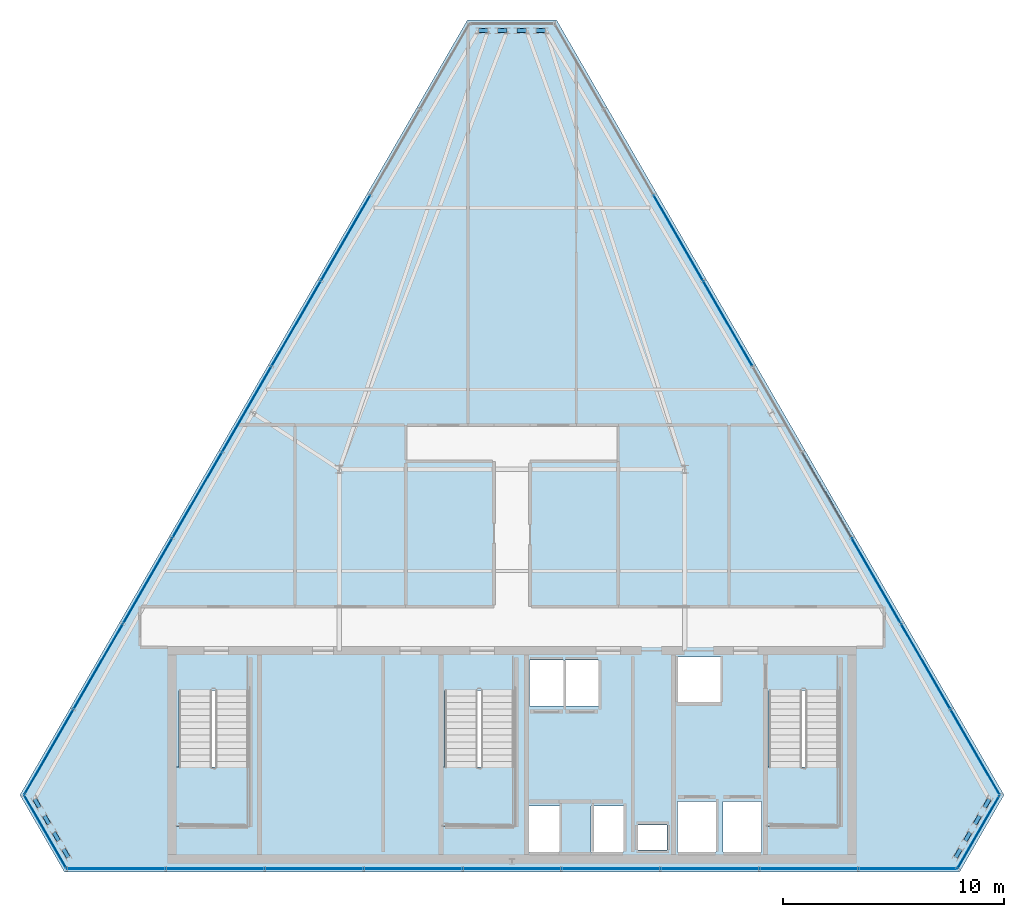
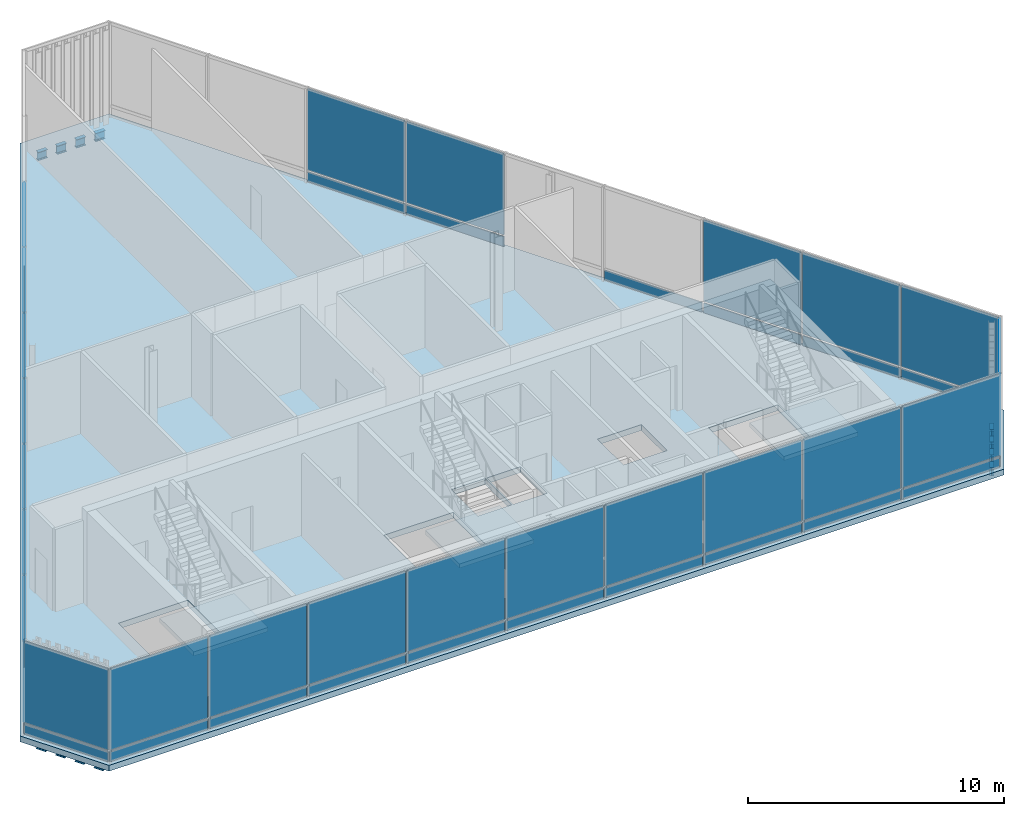
# One storey, part 19 of 25: 47 plates, 12 beams, 4 slabs, 8 elements without a shape of their own.
"""IFC4 building model written with IfcOpenShell, lengths in metres."""

import ifcopenshell
import ifcopenshell.guid

model = None  # the IFC model being written
_history = None  # IfcOwnerHistory: only IFC2X3 demands one
_inside = {}  # id of a spatial element -> (the spatial element, [elements in it])
_under = {}  # id of a project, library or spatial element -> (it, [spatial elements below it])
_declared = {}  # id of a project -> (the project, [libraries it declares])
_typed = {}  # id of a type object -> (the type object, [elements of that type])
_made_of = {}  # id of a material, layer set ... -> (it, [elements and type objects made of it])


def new_model(schema):
    """Start an empty IFC model of exactly this schema.

    Asked for "IFC4X3", IfcOpenShell would pick the latest addendum, in which some entities
    have other attributes; the version numbers below select the first issue.
    IFC2X3 requires an IfcOwnerHistory on every rooted entity: one is made here for all.
    """
    global model, _history
    if schema == "IFC4X3":
        model = ifcopenshell.file(schema_version=(4, 3, 0, 0))
    else:
        model = ifcopenshell.file(schema=schema)
    _inside.clear()
    _under.clear()
    _declared.clear()
    _typed.clear()
    _made_of.clear()
    _history = None
    if model.schema == "IFC2X3":
        org = make("IfcOrganization", Name="unknown")
        user = make(
            "IfcPersonAndOrganization",
            ThePerson=make("IfcPerson", FamilyName="unknown"),
            TheOrganization=org,
        )
        app = make(
            "IfcApplication",
            ApplicationDeveloper=org,
            Version="unknown",
            ApplicationFullName="unknown",
            ApplicationIdentifier="unknown",
        )
        _history = make(
            "IfcOwnerHistory",
            OwningUser=user,
            OwningApplication=app,
            ChangeAction="ADDED",
            CreationDate=0,
        )
    return model


def make(cls, **values):
    """One entity of the class cls with the attributes given. An attribute that is None is left unset."""
    return model.create_entity(
        cls, **{name: value for name, value in values.items() if value is not None}
    )


def rooted(cls, **values):
    """An entity with a GlobalId (a new one), such as an element, a storey or a relation."""
    return make(cls, GlobalId=ifcopenshell.guid.new(), OwnerHistory=_history, **values)


def si_unit(unit_type, name, prefix=None):
    """IfcSIUnit, for example si_unit("LENGTHUNIT", "METRE", prefix="MILLI")."""
    return make("IfcSIUnit", UnitType=unit_type, Prefix=prefix, Name=name)


def assignment(units):
    """IfcUnitAssignment: the units of a project."""
    return None if units is None else make("IfcUnitAssignment", Units=units)


def point(xyz):
    """IfcCartesianPoint."""
    return None if xyz is None else make("IfcCartesianPoint", Coordinates=xyz)


def direction(xyz):
    """IfcDirection."""
    return None if xyz is None else make("IfcDirection", DirectionRatios=xyz)


def frame(location, z_axis=None, x_axis=None):
    """IfcAxis2Placement3D, a coordinate frame: its origin and axes. An axis left out is left unset."""
    return make(
        "IfcAxis2Placement3D",
        Location=point(location),
        Axis=direction(z_axis),
        RefDirection=direction(x_axis),
    )


def frame_2d(location, x_axis=None):
    """IfcAxis2Placement2D, a coordinate frame in the plane: its origin and x axis."""
    return make(
        "IfcAxis2Placement2D", Location=point(location), RefDirection=direction(x_axis)
    )


def origin():
    """The frame at (0, 0, 0) with its axes left unset."""
    return frame((0.0, 0.0, 0.0))


def origin_2d():
    """The frame at (0, 0) in the plane with its x axis left unset."""
    return frame_2d((0.0, 0.0))


def place(relative_to, where):
    """IfcLocalPlacement: puts the frame where relative to a parent placement (None: the world)."""
    return make(
        "IfcLocalPlacement", PlacementRelTo=relative_to, RelativePlacement=where
    )


def context(
    kind, dimensions, precision=None, world=None, true_north=None, identifier=None
):
    """IfcGeometricRepresentationContext, for example the 3D "Model" context."""
    return make(
        "IfcGeometricRepresentationContext",
        ContextIdentifier=identifier,
        ContextType=kind,
        CoordinateSpaceDimension=dimensions,
        Precision=precision,
        WorldCoordinateSystem=world,
        TrueNorth=true_north,
    )


def subcontext(parent, identifier, kind, view, scale=None):
    """IfcGeometricRepresentationSubContext, for example "Body" below "Model"."""
    return make(
        "IfcGeometricRepresentationSubContext",
        ContextIdentifier=identifier,
        ContextType=kind,
        ParentContext=parent,
        TargetScale=scale,
        TargetView=view,
    )


def project(units=None, contexts=None):
    """IfcProject with its units and contexts."""
    return rooted(
        "IfcProject",
        Name="project",
        RepresentationContexts=contexts,
        UnitsInContext=assignment(units),
    )


def spatial(cls, under=None, at=None, **own):
    """A site, building, storey or space (cls), placed at a placement, below another one or the project."""
    s = rooted(cls, ObjectPlacement=at, **own)
    if under is not None:
        _under.setdefault(under.id(), (under, []))[1].append(s)
    return s


def polyline(points):
    """IfcPolyline through the points."""
    return make("IfcPolyline", Points=[point(p) for p in points])


def profile(cls, at=None, kind="AREA", **sizes):
    """A parametric profile (cls). Its sizes go by their IFC names, for example OverallWidth=200.0."""
    return make(cls, ProfileType=kind, Position=at, **sizes)


def rectangle(**sizes):
    """IfcRectangleProfileDef."""
    return profile("IfcRectangleProfileDef", **sizes)


def i_section(**sizes):
    """IfcIShapeProfileDef."""
    return profile("IfcIShapeProfileDef", **sizes)


def outline(outer, holes=None, kind="AREA"):
    """IfcArbitraryClosedProfileDef: a profile drawn as a closed curve; with holes, ...WithVoids."""
    if holes is None:
        return make("IfcArbitraryClosedProfileDef", ProfileType=kind, OuterCurve=outer)
    return make(
        "IfcArbitraryProfileDefWithVoids",
        ProfileType=kind,
        OuterCurve=outer,
        InnerCurves=holes,
    )


def extrude(swept, where, along, depth):
    """IfcExtrudedAreaSolid: the profile swept, set in the frame where, extruded along a direction by depth."""
    return make(
        "IfcExtrudedAreaSolid",
        SweptArea=swept,
        Position=where,
        ExtrudedDirection=direction(along),
        Depth=depth,
    )


def shape(context_of_items, identifier, shape_type, items):
    """IfcShapeRepresentation: the items that make up one representation, for example the "Body"."""
    return make(
        "IfcShapeRepresentation",
        ContextOfItems=context_of_items,
        RepresentationIdentifier=identifier,
        RepresentationType=shape_type,
        Items=items,
    )


def material(Name=None, Category=None):
    """IfcMaterial."""
    return make("IfcMaterial", Name=Name, Category=Category)


def layer(
    of_material, thickness, ventilated=None, Name=None, Category=None, Priority=None
):
    """IfcMaterialLayer: one layer of a wall or slab, of a material (None: an air gap)."""
    return make(
        "IfcMaterialLayer",
        Material=of_material,
        LayerThickness=thickness,
        IsVentilated=ventilated,
        Name=Name,
        Category=Category,
        Priority=Priority,
    )


def layer_set(layers, Name=None):
    """IfcMaterialLayerSet."""
    return make("IfcMaterialLayerSet", MaterialLayers=layers, LayerSetName=Name)


def material_profile(
    of_material, cross_section, Name=None, Category=None, Priority=None
):
    """IfcMaterialProfile: a cross section and its material."""
    return make(
        "IfcMaterialProfile",
        Name=Name,
        Material=of_material,
        Profile=cross_section,
        Priority=Priority,
        Category=Category,
    )


def profile_set(profiles, Name=None, composite=None):
    """IfcMaterialProfileSet."""
    return make(
        "IfcMaterialProfileSet",
        Name=Name,
        MaterialProfiles=profiles,
        CompositeProfile=composite,
    )


def made_of(thing, what):
    """Note that an element or type object is made of a material, layer set ...; save() writes the relation."""
    if what is not None:
        _made_of.setdefault(what.id(), (what, []))[1].append(thing)
    return thing


def type_object(cls, material=None, **own):
    """A type object (cls), such as IfcWallType, which elements share."""
    return made_of(rooted(cls, **own), material)


def element(
    cls,
    number,
    at=None,
    inside=None,
    cuts=None,
    type_object=None,
    material=None,
    context=None,
    identifier="Body",
    shape_type=None,
    held_by="IfcProductDefinitionShape",
    body=None,
    shapes=None,
    **own,
):
    """One element of the class cls, such as IfcWall. Its Tag is "e" and its number.

    at: its placement. inside: the storey or other place that contains it. cuts: it is an
    opening in that element (IfcRelVoidsElement). A single representation is given by context,
    identifier, shape_type and body (its items); several are given by shapes. held_by: the class
    of the entity that holds the representations. save() writes the other relations.
    """
    e = rooted(cls, Tag="e%d" % number, ObjectPlacement=at, **own)
    if body is not None:
        shapes = [shape(context, identifier, shape_type, body)]
    if shapes is not None:
        e.Representation = make(held_by, Representations=shapes)
    if inside is not None:
        _inside.setdefault(inside.id(), (inside, []))[1].append(e)
    if cuts is not None:
        rooted(
            "IfcRelVoidsElement", RelatingBuildingElement=cuts, RelatedOpeningElement=e
        )
    if type_object is not None:
        _typed.setdefault(type_object.id(), (type_object, []))[1].append(e)
    return made_of(e, material)


def aggregate(whole, parts):
    """IfcRelAggregates: a whole, such as a stair, and the parts it consists of."""
    return rooted("IfcRelAggregates", RelatingObject=whole, RelatedObjects=parts)


def save(model, path):
    """Write the relations noted so far, then the file.

    IfcRelAggregates (storeys below a building ...), IfcRelContainedInSpatialStructure (elements
    in a storey), IfcRelDefinesByType, IfcRelAssociatesMaterial and IfcRelDeclares: one each for
    every whole, place, type object, material and project.
    """
    for whole, parts in _under.values():
        aggregate(whole, parts)
    for where, things in _inside.values():
        rooted(
            "IfcRelContainedInSpatialStructure",
            RelatedElements=things,
            RelatingStructure=where,
        )
    for kind, things in _typed.values():
        rooted("IfcRelDefinesByType", RelatedObjects=things, RelatingType=kind)
    for what, things in _made_of.values():
        rooted("IfcRelAssociatesMaterial", RelatedObjects=things, RelatingMaterial=what)
    for by, libraries in _declared.values():
        rooted("IfcRelDeclares", RelatingContext=by, RelatedDefinitions=libraries)
    model.write(path)


model = new_model("IFC4")

# Units and contexts
model_context = context("Model", 3, precision=1e-05, world=origin(), true_north=direction((0.0, 1.0)))
body_context = subcontext(model_context, "Body", "Model", "MODEL_VIEW")
ifc_project = project(units=[si_unit("LENGTHUNIT", "METRE"), si_unit("AREAUNIT", "SQUARE_METRE"), si_unit("VOLUMEUNIT", "CUBIC_METRE"), si_unit("PLANEANGLEUNIT", "RADIAN"), si_unit("MASSUNIT", "GRAM", prefix="KILO")], contexts=[model_context])

# Site, building, storey
site_placement = place(None, origin())
site = spatial("IfcSite", under=ifc_project, at=site_placement, CompositionType="ELEMENT")
building_placement = place(site_placement, origin())
building = spatial("IfcBuilding", under=site, at=building_placement, Name="Ndaravel Arena Tower", CompositionType="ELEMENT")
storey_placement = place(building_placement, frame((0.0, 0.0, 298.5)))
storey = spatial("IfcBuildingStorey", under=building, at=storey_placement, Name="L73", CompositionType="ELEMENT", Elevation=298.5)

# Beams
ifc_material_1 = material(Name="Steel S355", Category="steel")
ifc_material_profile = material_profile(ifc_material_1, i_section(OverallWidth=0.179931640625, OverallDepth=0.39990234375, WebThickness=0.008544921875, FlangeThickness=0.013427734375, FilletRadius=0.02099609375, at=origin_2d()), Name="IPE 400")
ifc_profile_set = profile_set([ifc_material_profile], Name="Steel S355")
beam_type = type_object("IfcBeamType", Name="BM-SPAN-IPE400", PredefinedType="SPANDREL", material=ifc_profile_set)
for number, where, z_axis, x_axis, name in (
    (1, (62.038818359375, 5.667724609375, -0.47998046875), (0.499771175029, 0.866157475642, 0.0), (-0.866157475642, 0.499771175029, 0.0), "L73 Perimeter Spandrel Beam SP-02"),
    (2, (62.472412109375, 6.419189453125, -0.47998046875), (0.500193229689, 0.865913813825, 0.0), (-0.865913813825, 0.500193229689, 0.0), "L73 Perimeter Spandrel Beam SP-04"),
    (3, (62.90625, 7.17041015625, -0.47998046875), (0.499771175029, 0.866157475642, 0.0), (-0.866157475642, 0.499771175029, 0.0), "L73 Perimeter Spandrel Beam SP-06"),
    (4, (63.340087890625, 7.921630859375, -0.47998046875), (0.499771175029, 0.866157475642, 0.0), (-0.866157475642, 0.499771175029, 0.0), "L73 Perimeter Spandrel Beam SP-08"),
    (5, (43.518310546875, 43.00537109375, -0.47998046875), (-1.0, 0.0, 0.0), (0.0, -1.0, 0.0), "L73 Perimeter Spandrel Beam SP-11"),
    (6, (42.650634765625, 43.00537109375, -0.47998046875), (-1.0, 0.0, 0.0), (0.0, -1.0, 0.0), "L73 Perimeter Spandrel Beam SP-13"),
    (7, (41.783203125, 43.00537109375, -0.47998046875), (-1.0, 0.0, 0.0), (0.0, -1.0, 0.0), "L73 Perimeter Spandrel Beam SP-15"),
    (8, (40.91552734375, 43.00537109375, -0.47998046875), (-1.0, 0.0, 0.0), (0.0, -1.0, 0.0), "L73 Perimeter Spandrel Beam SP-17"),
    (9, (20.443115234375, 8.29736328125, -0.47998046875), (0.499771175029, -0.866157475642, 0.0), (0.866157475642, 0.499771175029, 0.0), "L73 Perimeter Spandrel Beam SP-20"),
    (10, (20.876953125, 7.546142578125, -0.47998046875), (0.499771175029, -0.866157475642, 0.0), (0.866157475642, 0.499771175029, 0.0), "L73 Perimeter Spandrel Beam SP-22"),
    (11, (21.310546875, 6.794921875, -0.47998046875), (0.500193229689, -0.865913813825, 0.0), (0.865913813825, 0.500193229689, 0.0), "L73 Perimeter Spandrel Beam SP-24"),
    (12, (21.744384765625, 6.04345703125, -0.47998046875), (0.499771175029, -0.866157475642, 0.0), (0.866157475642, 0.499771175029, 0.0), "L73 Perimeter Spandrel Beam SP-26"),
):
    element("IfcBeam", number, at=place(storey_placement, frame(where, z_axis=z_axis, x_axis=x_axis)), inside=storey, type_object=beam_type, Name=name, PredefinedType="SPANDREL", context=body_context, shape_type="SweptSolid", body=[
        extrude(i_section(OverallWidth=0.179931640625, OverallDepth=0.39990234375, WebThickness=0.008544921875, FlangeThickness=0.013427734375, FilletRadius=0.02099609375, at=origin_2d()), origin(), (0.0, 0.0, 1.0), 0.433837890625),
    ])

# Curtain wall, plates
ifc_material_2 = material(Name="Aluminium", Category="aluminium")
ifc_layer_1 = layer(ifc_material_2, 0.179931640625)
ifc_layer_set_1 = layer_set([ifc_layer_1], Name="Aluminium")
curtain_wall_type = type_object("IfcCurtainWallType", Name="CW-SYS-04", PredefinedType="NOTDEFINED", material=ifc_layer_set_1)
curtain_wall_1_placement = place(storey_placement, origin())
curtain_wall_1 = element("IfcCurtainWall", 13, at=curtain_wall_1_placement, inside=storey, type_object=curtain_wall_type, Name="L73 Faceted Crystal Curtain Wall CW-L73-E01", PredefinedType="NOTDEFINED")
ifc_material_3 = material(Name="Glazing", Category="glass")
ifc_layer_2 = layer(ifc_material_3, 0.0400390625)
ifc_layer_set_2 = layer_set([ifc_layer_2], Name="Glazing")
plate_type_1 = type_object("IfcPlateType", Name="PLT-GLZ-LOWIRON", PredefinedType="CURTAIN_PANEL", material=ifc_layer_set_2)
plate_1_placement = place(storey_placement, frame((24.1201171875, 5.159912109375, 0.58984375), z_axis=(0.0, 0.0, 1.0), x_axis=(1.0, 0.0, 0.0)))
plate_1 = element("IfcPlate", 14, at=plate_1_placement, type_object=plate_type_1, Name="CW-L73-E01 Vision Glass Panel 01", PredefinedType="CURTAIN_PANEL", context=body_context, shape_type="SweptSolid", body=[
    extrude(rectangle(XDim=4.389892578125, YDim=0.035888671875, at=origin_2d()), origin(), (0.0, 0.0, 1.0), 3.889892578125),
])
plate_2_placement = place(storey_placement, frame((28.590087890625, 5.159912109375, 0.58984375), z_axis=(0.0, 0.0, 1.0), x_axis=(1.0, 0.0, 0.0)))
plate_2 = element("IfcPlate", 15, at=plate_2_placement, type_object=plate_type_1, Name="CW-L73-E01 Vision Glass Panel 02", PredefinedType="CURTAIN_PANEL", context=body_context, shape_type="SweptSolid", body=[
    extrude(rectangle(XDim=4.389892578125, YDim=0.035888671875, at=origin_2d()), origin(), (0.0, 0.0, 1.0), 3.889892578125),
])
plate_3_placement = place(storey_placement, frame((33.06005859375, 5.159912109375, 0.58984375), z_axis=(0.0, 0.0, 1.0), x_axis=(1.0, 0.0, 0.0)))
plate_3 = element("IfcPlate", 16, at=plate_3_placement, type_object=plate_type_1, Name="CW-L73-E01 Vision Glass Panel 03", PredefinedType="CURTAIN_PANEL", context=body_context, shape_type="SweptSolid", body=[
    extrude(rectangle(XDim=4.389892578125, YDim=0.035888671875, at=origin_2d()), origin(), (0.0, 0.0, 1.0), 3.889892578125),
])
plate_4_placement = place(storey_placement, frame((37.530029296875, 5.159912109375, 0.58984375), z_axis=(0.0, 0.0, 1.0), x_axis=(1.0, 0.0, 0.0)))
plate_4 = element("IfcPlate", 17, at=plate_4_placement, type_object=plate_type_1, Name="CW-L73-E01 Vision Glass Panel 04", PredefinedType="CURTAIN_PANEL", context=body_context, shape_type="SweptSolid", body=[
    extrude(rectangle(XDim=4.389892578125, YDim=0.035888671875, at=origin_2d()), origin(), (0.0, 0.0, 1.0), 3.889892578125),
])
plate_5_placement = place(storey_placement, frame((42.0, 5.159912109375, 0.58984375), z_axis=(0.0, 0.0, 1.0), x_axis=(1.0, 0.0, 0.0)))
plate_5 = element("IfcPlate", 18, at=plate_5_placement, type_object=plate_type_1, Name="CW-L73-E01 Vision Glass Panel 05", PredefinedType="CURTAIN_PANEL", context=body_context, shape_type="SweptSolid", body=[
    extrude(rectangle(XDim=4.389892578125, YDim=0.035888671875, at=origin_2d()), origin(), (0.0, 0.0, 1.0), 3.889892578125),
])
plate_6_placement = place(storey_placement, frame((46.469970703125, 5.159912109375, 0.58984375), z_axis=(0.0, 0.0, 1.0), x_axis=(1.0, 0.0, 0.0)))
plate_6 = element("IfcPlate", 19, at=plate_6_placement, type_object=plate_type_1, Name="CW-L73-E01 Vision Glass Panel 06", PredefinedType="CURTAIN_PANEL", context=body_context, shape_type="SweptSolid", body=[
    extrude(rectangle(XDim=4.389892578125, YDim=0.035888671875, at=origin_2d()), origin(), (0.0, 0.0, 1.0), 3.889892578125),
])
plate_7_placement = place(storey_placement, frame((50.93994140625, 5.159912109375, 0.58984375), z_axis=(0.0, 0.0, 1.0), x_axis=(1.0, 0.0, 0.0)))
plate_7 = element("IfcPlate", 20, at=plate_7_placement, type_object=plate_type_1, Name="CW-L73-E01 Vision Glass Panel 07", PredefinedType="CURTAIN_PANEL", context=body_context, shape_type="SweptSolid", body=[
    extrude(rectangle(XDim=4.389892578125, YDim=0.035888671875, at=origin_2d()), origin(), (0.0, 0.0, 1.0), 3.889892578125),
])
plate_8_placement = place(storey_placement, frame((55.409912109375, 5.159912109375, 0.58984375), z_axis=(0.0, 0.0, 1.0), x_axis=(1.0, 0.0, 0.0)))
plate_8 = element("IfcPlate", 21, at=plate_8_placement, type_object=plate_type_1, Name="CW-L73-E01 Vision Glass Panel 08", PredefinedType="CURTAIN_PANEL", context=body_context, shape_type="SweptSolid", body=[
    extrude(rectangle(XDim=4.389892578125, YDim=0.035888671875, at=origin_2d()), origin(), (0.0, 0.0, 1.0), 3.889892578125),
])
plate_9_placement = place(storey_placement, frame((59.8798828125, 5.159912109375, 0.58984375), z_axis=(0.0, 0.0, 1.0), x_axis=(1.0, 0.0, 0.0)))
plate_9 = element("IfcPlate", 22, at=plate_9_placement, type_object=plate_type_1, Name="CW-L73-E01 Vision Glass Panel 09", PredefinedType="CURTAIN_PANEL", context=body_context, shape_type="SweptSolid", body=[
    extrude(rectangle(XDim=4.389892578125, YDim=0.035888671875, at=origin_2d()), origin(), (0.0, 0.0, 1.0), 3.889892578125),
])

# Curtain wall, plate
curtain_wall_2_placement = place(storey_placement, origin())
curtain_wall_2 = element("IfcCurtainWall", 23, at=curtain_wall_2_placement, inside=storey, type_object=curtain_wall_type, Name="L73 Faceted Crystal Curtain Wall CW-L73-E02", PredefinedType="NOTDEFINED")
plate_10_placement = place(storey_placement, frame((63.074951171875, 6.822509765625, 0.58984375), z_axis=(0.0, 0.0, 1.0), x_axis=(0.5, 0.866025403784, 0.0)))
plate_10 = element("IfcPlate", 24, at=plate_10_placement, type_object=plate_type_1, Name="CW-L73-E02 Vision Glass Panel 01", PredefinedType="CURTAIN_PANEL", context=body_context, shape_type="SweptSolid", body=[
    extrude(rectangle(XDim=3.759521484375, YDim=0.035888671875, at=origin_2d()), origin(), (0.0, 0.0, 1.0), 3.889892578125),
])

# Curtain wall, plates
curtain_wall_3_placement = place(storey_placement, origin())
curtain_wall_3 = element("IfcCurtainWall", 25, at=curtain_wall_3_placement, inside=storey, type_object=curtain_wall_type, Name="L73 Faceted Crystal Curtain Wall CW-L73-E03", PredefinedType="NOTDEFINED")
plate_11_placement = place(storey_placement, frame((62.917236328125, 10.4208984375, 0.58984375), z_axis=(0.0, 0.0, 1.0), x_axis=(-0.5, 0.866025403784, 0.0)))
plate_11 = element("IfcPlate", 26, at=plate_11_placement, type_object=plate_type_1, Name="CW-L73-E03 Vision Glass Panel 01", PredefinedType="CURTAIN_PANEL", context=body_context, shape_type="SweptSolid", body=[
    extrude(rectangle(XDim=4.389892578125, YDim=0.035888671875, at=origin_2d()), origin(), (0.0, 0.0, 1.0), 3.889892578125),
])
plate_12_placement = place(storey_placement, frame((60.682373046875, 14.2919921875, 0.58984375), z_axis=(0.0, 0.0, 1.0), x_axis=(-0.5, 0.866025403784, 0.0)))
plate_12 = element("IfcPlate", 27, at=plate_12_placement, type_object=plate_type_1, Name="CW-L73-E03 Vision Glass Panel 02", PredefinedType="CURTAIN_PANEL", context=body_context, shape_type="SweptSolid", body=[
    extrude(rectangle(XDim=4.389892578125, YDim=0.035888671875, at=origin_2d()), origin(), (0.0, 0.0, 1.0), 3.889892578125),
])
plate_13_placement = place(storey_placement, frame((58.447265625, 18.1630859375, 0.58984375), z_axis=(0.0, 0.0, 1.0), x_axis=(-0.5, 0.866025403784, 0.0)))
plate_13 = element("IfcPlate", 28, at=plate_13_placement, type_object=plate_type_1, Name="CW-L73-E03 Vision Glass Panel 03", PredefinedType="CURTAIN_PANEL", context=body_context, shape_type="SweptSolid", body=[
    extrude(rectangle(XDim=4.389892578125, YDim=0.035888671875, at=origin_2d()), origin(), (0.0, 0.0, 1.0), 3.889892578125),
])
plate_14_placement = place(storey_placement, frame((51.7421875, 29.7763671875, 0.58984375), z_axis=(0.0, 0.0, 1.0), x_axis=(-0.5, 0.866025403784, 0.0)))
plate_14 = element("IfcPlate", 29, at=plate_14_placement, type_object=plate_type_1, Name="CW-L73-E03 Vision Glass Panel 06", PredefinedType="CURTAIN_PANEL", context=body_context, shape_type="SweptSolid", body=[
    extrude(rectangle(XDim=4.389892578125, YDim=0.035888671875, at=origin_2d()), origin(), (0.0, 0.0, 1.0), 3.889892578125),
])
plate_15_placement = place(storey_placement, frame((49.50732421875, 33.647705078125, 0.58984375), z_axis=(0.0, 0.0, 1.0), x_axis=(-0.5, 0.866025403784, 0.0)))
plate_15 = element("IfcPlate", 30, at=plate_15_placement, type_object=plate_type_1, Name="CW-L73-E03 Vision Glass Panel 07", PredefinedType="CURTAIN_PANEL", context=body_context, shape_type="SweptSolid", body=[
    extrude(rectangle(XDim=4.389892578125, YDim=0.035888671875, at=origin_2d()), origin(), (0.0, 0.0, 1.0), 3.889892578125),
])

curtain_wall_4_placement = place(storey_placement, origin())
curtain_wall_4 = element("IfcCurtainWall", 31, at=curtain_wall_4_placement, inside=storey, type_object=curtain_wall_type, Name="L73 Faceted Crystal Curtain Wall CW-L73-E05", PredefinedType="NOTDEFINED")
plate_16_placement = place(storey_placement, frame((34.49267578125, 33.647705078125, 0.58984375), z_axis=(0.0, 0.0, 1.0), x_axis=(-0.5, -0.866025403784, 0.0)))
plate_16 = element("IfcPlate", 32, at=plate_16_placement, type_object=plate_type_1, Name="CW-L73-E05 Vision Glass Panel 03", PredefinedType="CURTAIN_PANEL", context=body_context, shape_type="SweptSolid", body=[
    extrude(rectangle(XDim=4.389892578125, YDim=0.035888671875, at=origin_2d()), origin(), (0.0, 0.0, 1.0), 3.889892578125),
])
plate_17_placement = place(storey_placement, frame((32.2578125, 29.7763671875, 0.58984375), z_axis=(0.0, 0.0, 1.0), x_axis=(-0.5, -0.866025403784, 0.0)))
plate_17 = element("IfcPlate", 33, at=plate_17_placement, type_object=plate_type_1, Name="CW-L73-E05 Vision Glass Panel 04", PredefinedType="CURTAIN_PANEL", context=body_context, shape_type="SweptSolid", body=[
    extrude(rectangle(XDim=4.389892578125, YDim=0.035888671875, at=origin_2d()), origin(), (0.0, 0.0, 1.0), 3.889892578125),
])
plate_18_placement = place(storey_placement, frame((30.022705078125, 25.9052734375, 0.58984375), z_axis=(0.0, 0.0, 1.0), x_axis=(-0.5, -0.866025403784, 0.0)))
plate_18 = element("IfcPlate", 34, at=plate_18_placement, type_object=plate_type_1, Name="CW-L73-E05 Vision Glass Panel 05", PredefinedType="CURTAIN_PANEL", context=body_context, shape_type="SweptSolid", body=[
    extrude(rectangle(XDim=4.389892578125, YDim=0.035888671875, at=origin_2d()), origin(), (0.0, 0.0, 1.0), 3.889892578125),
])
plate_19_placement = place(storey_placement, frame((27.78759765625, 22.0341796875, 0.58984375), z_axis=(0.0, 0.0, 1.0), x_axis=(-0.5, -0.866025403784, 0.0)))
plate_19 = element("IfcPlate", 35, at=plate_19_placement, type_object=plate_type_1, Name="CW-L73-E05 Vision Glass Panel 06", PredefinedType="CURTAIN_PANEL", context=body_context, shape_type="SweptSolid", body=[
    extrude(rectangle(XDim=4.389892578125, YDim=0.035888671875, at=origin_2d()), origin(), (0.0, 0.0, 1.0), 3.889892578125),
])
plate_20_placement = place(storey_placement, frame((25.552734375, 18.1630859375, 0.58984375), z_axis=(0.0, 0.0, 1.0), x_axis=(-0.5, -0.866025403784, 0.0)))
plate_20 = element("IfcPlate", 36, at=plate_20_placement, type_object=plate_type_1, Name="CW-L73-E05 Vision Glass Panel 07", PredefinedType="CURTAIN_PANEL", context=body_context, shape_type="SweptSolid", body=[
    extrude(rectangle(XDim=4.389892578125, YDim=0.035888671875, at=origin_2d()), origin(), (0.0, 0.0, 1.0), 3.889892578125),
])
plate_21_placement = place(storey_placement, frame((23.317626953125, 14.2919921875, 0.58984375), z_axis=(0.0, 0.0, 1.0), x_axis=(-0.5, -0.866025403784, 0.0)))
plate_21 = element("IfcPlate", 37, at=plate_21_placement, type_object=plate_type_1, Name="CW-L73-E05 Vision Glass Panel 08", PredefinedType="CURTAIN_PANEL", context=body_context, shape_type="SweptSolid", body=[
    extrude(rectangle(XDim=4.389892578125, YDim=0.035888671875, at=origin_2d()), origin(), (0.0, 0.0, 1.0), 3.889892578125),
])
plate_22_placement = place(storey_placement, frame((21.082763671875, 10.4208984375, 0.58984375), z_axis=(0.0, 0.0, 1.0), x_axis=(-0.5, -0.866025403784, 0.0)))
plate_22 = element("IfcPlate", 38, at=plate_22_placement, type_object=plate_type_1, Name="CW-L73-E05 Vision Glass Panel 09", PredefinedType="CURTAIN_PANEL", context=body_context, shape_type="SweptSolid", body=[
    extrude(rectangle(XDim=4.389892578125, YDim=0.035888671875, at=origin_2d()), origin(), (0.0, 0.0, 1.0), 3.889892578125),
])

# Curtain wall, plate
curtain_wall_5_placement = place(storey_placement, origin())
curtain_wall_5 = element("IfcCurtainWall", 39, at=curtain_wall_5_placement, inside=storey, type_object=curtain_wall_type, Name="L73 Faceted Crystal Curtain Wall CW-L73-E06", PredefinedType="NOTDEFINED")
plate_23_placement = place(storey_placement, frame((20.925048828125, 6.822509765625, 0.58984375), z_axis=(0.0, 0.0, 1.0), x_axis=(0.5, -0.866025403784, 0.0)))
plate_23 = element("IfcPlate", 40, at=plate_23_placement, type_object=plate_type_1, Name="CW-L73-E06 Vision Glass Panel 01", PredefinedType="CURTAIN_PANEL", context=body_context, shape_type="SweptSolid", body=[
    extrude(rectangle(XDim=3.759521484375, YDim=0.035888671875, at=origin_2d()), origin(), (0.0, 0.0, 1.0), 3.889892578125),
])

# Plate
ifc_material_4 = material(Name="Aluminium", Category="aluminium")
ifc_layer_3 = layer(ifc_material_4, 0.044921875)
ifc_layer_set_3 = layer_set([ifc_layer_3], Name="Aluminium")
plate_type_2 = type_object("IfcPlateType", Name="PLT-SPANDREL-ALU", PredefinedType="SHEET", material=ifc_layer_set_3)
plate_24_placement = place(storey_placement, frame((24.1201171875, 5.159912109375, 0.0400390625), z_axis=(0.0, 0.0, 1.0), x_axis=(1.0, 0.0, 0.0)))
plate_24 = element("IfcPlate", 41, at=plate_24_placement, type_object=plate_type_2, Name="CW-L73-E01 Spandrel Panel 01", PredefinedType="SHEET", context=body_context, shape_type="SweptSolid", body=[
    extrude(rectangle(XDim=4.389892578125, YDim=0.044921875, at=origin_2d()), origin(), (0.0, 0.0, 1.0), 0.469970703125),
])

plate_25_placement = place(storey_placement, frame((28.590087890625, 5.159912109375, 0.0400390625), z_axis=(0.0, 0.0, 1.0), x_axis=(1.0, 0.0, 0.0)))
plate_25 = element("IfcPlate", 42, at=plate_25_placement, type_object=plate_type_2, Name="CW-L73-E01 Spandrel Panel 02", PredefinedType="SHEET", context=body_context, shape_type="SweptSolid", body=[
    extrude(rectangle(XDim=4.389892578125, YDim=0.044921875, at=origin_2d()), origin(), (0.0, 0.0, 1.0), 0.469970703125),
])

plate_26_placement = place(storey_placement, frame((33.06005859375, 5.159912109375, 0.0400390625), z_axis=(0.0, 0.0, 1.0), x_axis=(1.0, 0.0, 0.0)))
plate_26 = element("IfcPlate", 43, at=plate_26_placement, type_object=plate_type_2, Name="CW-L73-E01 Spandrel Panel 03", PredefinedType="SHEET", context=body_context, shape_type="SweptSolid", body=[
    extrude(rectangle(XDim=4.389892578125, YDim=0.044921875, at=origin_2d()), origin(), (0.0, 0.0, 1.0), 0.469970703125),
])

plate_27_placement = place(storey_placement, frame((37.530029296875, 5.159912109375, 0.0400390625), z_axis=(0.0, 0.0, 1.0), x_axis=(1.0, 0.0, 0.0)))
plate_27 = element("IfcPlate", 44, at=plate_27_placement, type_object=plate_type_2, Name="CW-L73-E01 Spandrel Panel 04", PredefinedType="SHEET", context=body_context, shape_type="SweptSolid", body=[
    extrude(rectangle(XDim=4.389892578125, YDim=0.044921875, at=origin_2d()), origin(), (0.0, 0.0, 1.0), 0.469970703125),
])

plate_28_placement = place(storey_placement, frame((42.0, 5.159912109375, 0.0400390625), z_axis=(0.0, 0.0, 1.0), x_axis=(1.0, 0.0, 0.0)))
plate_28 = element("IfcPlate", 45, at=plate_28_placement, type_object=plate_type_2, Name="CW-L73-E01 Spandrel Panel 05", PredefinedType="SHEET", context=body_context, shape_type="SweptSolid", body=[
    extrude(rectangle(XDim=4.389892578125, YDim=0.044921875, at=origin_2d()), origin(), (0.0, 0.0, 1.0), 0.469970703125),
])

plate_29_placement = place(storey_placement, frame((46.469970703125, 5.159912109375, 0.0400390625), z_axis=(0.0, 0.0, 1.0), x_axis=(1.0, 0.0, 0.0)))
plate_29 = element("IfcPlate", 46, at=plate_29_placement, type_object=plate_type_2, Name="CW-L73-E01 Spandrel Panel 06", PredefinedType="SHEET", context=body_context, shape_type="SweptSolid", body=[
    extrude(rectangle(XDim=4.389892578125, YDim=0.044921875, at=origin_2d()), origin(), (0.0, 0.0, 1.0), 0.469970703125),
])

plate_30_placement = place(storey_placement, frame((50.93994140625, 5.159912109375, 0.0400390625), z_axis=(0.0, 0.0, 1.0), x_axis=(1.0, 0.0, 0.0)))
plate_30 = element("IfcPlate", 47, at=plate_30_placement, type_object=plate_type_2, Name="CW-L73-E01 Spandrel Panel 07", PredefinedType="SHEET", context=body_context, shape_type="SweptSolid", body=[
    extrude(rectangle(XDim=4.389892578125, YDim=0.044921875, at=origin_2d()), origin(), (0.0, 0.0, 1.0), 0.469970703125),
])

plate_31_placement = place(storey_placement, frame((55.409912109375, 5.159912109375, 0.0400390625), z_axis=(0.0, 0.0, 1.0), x_axis=(1.0, 0.0, 0.0)))
plate_31 = element("IfcPlate", 48, at=plate_31_placement, type_object=plate_type_2, Name="CW-L73-E01 Spandrel Panel 08", PredefinedType="SHEET", context=body_context, shape_type="SweptSolid", body=[
    extrude(rectangle(XDim=4.389892578125, YDim=0.044921875, at=origin_2d()), origin(), (0.0, 0.0, 1.0), 0.469970703125),
])

plate_32_placement = place(storey_placement, frame((59.8798828125, 5.159912109375, 0.0400390625), z_axis=(0.0, 0.0, 1.0), x_axis=(1.0, 0.0, 0.0)))
plate_32 = element("IfcPlate", 49, at=plate_32_placement, type_object=plate_type_2, Name="CW-L73-E01 Spandrel Panel 09", PredefinedType="SHEET", context=body_context, shape_type="SweptSolid", body=[
    extrude(rectangle(XDim=4.389892578125, YDim=0.044921875, at=origin_2d()), origin(), (0.0, 0.0, 1.0), 0.469970703125),
])

aggregate(curtain_wall_1, [plate_24, plate_1, plate_25, plate_2, plate_26, plate_3, plate_27, plate_4, plate_28, plate_5, plate_29, plate_6, plate_30, plate_7, plate_31, plate_8, plate_32, plate_9])

plate_33_placement = place(storey_placement, frame((63.074951171875, 6.822509765625, 0.0400390625), z_axis=(0.0, 0.0, 1.0), x_axis=(0.5, 0.866025403784, 0.0)))
plate_33 = element("IfcPlate", 50, at=plate_33_placement, type_object=plate_type_2, Name="CW-L73-E02 Spandrel Panel 01", PredefinedType="SHEET", context=body_context, shape_type="SweptSolid", body=[
    extrude(rectangle(XDim=3.759521484375, YDim=0.044921875, at=origin_2d()), origin(), (0.0, 0.0, 1.0), 0.469970703125),
])

aggregate(curtain_wall_2, [plate_33, plate_10])

plate_34_placement = place(storey_placement, frame((62.917236328125, 10.4208984375, 0.0400390625), z_axis=(0.0, 0.0, 1.0), x_axis=(-0.5, 0.866025403784, 0.0)))
plate_34 = element("IfcPlate", 51, at=plate_34_placement, type_object=plate_type_2, Name="CW-L73-E03 Spandrel Panel 01", PredefinedType="SHEET", context=body_context, shape_type="SweptSolid", body=[
    extrude(rectangle(XDim=4.389892578125, YDim=0.044921875, at=origin_2d()), origin(), (0.0, 0.0, 1.0), 0.469970703125),
])

plate_35_placement = place(storey_placement, frame((60.682373046875, 14.2919921875, 0.0400390625), z_axis=(0.0, 0.0, 1.0), x_axis=(-0.5, 0.866025403784, 0.0)))
plate_35 = element("IfcPlate", 52, at=plate_35_placement, type_object=plate_type_2, Name="CW-L73-E03 Spandrel Panel 02", PredefinedType="SHEET", context=body_context, shape_type="SweptSolid", body=[
    extrude(rectangle(XDim=4.389892578125, YDim=0.044921875, at=origin_2d()), origin(), (0.0, 0.0, 1.0), 0.469970703125),
])

plate_36_placement = place(storey_placement, frame((58.447265625, 18.1630859375, 0.0400390625), z_axis=(0.0, 0.0, 1.0), x_axis=(-0.5, 0.866025403784, 0.0)))
plate_36 = element("IfcPlate", 53, at=plate_36_placement, type_object=plate_type_2, Name="CW-L73-E03 Spandrel Panel 03", PredefinedType="SHEET", context=body_context, shape_type="SweptSolid", body=[
    extrude(rectangle(XDim=4.389892578125, YDim=0.044921875, at=origin_2d()), origin(), (0.0, 0.0, 1.0), 0.469970703125),
])

plate_37_placement = place(storey_placement, frame((56.21240234375, 22.0341796875, 0.0400390625), z_axis=(0.0, 0.0, 1.0), x_axis=(-0.5, 0.866025403784, 0.0)))
plate_37 = element("IfcPlate", 54, at=plate_37_placement, type_object=plate_type_2, Name="CW-L73-E03 Spandrel Panel 04", PredefinedType="SHEET", context=body_context, shape_type="SweptSolid", body=[
    extrude(rectangle(XDim=4.389892578125, YDim=0.044921875, at=origin_2d()), origin(), (0.0, 0.0, 1.0), 0.469970703125),
])

plate_38_placement = place(storey_placement, frame((51.7421875, 29.7763671875, 0.0400390625), z_axis=(0.0, 0.0, 1.0), x_axis=(-0.5, 0.866025403784, 0.0)))
plate_38 = element("IfcPlate", 55, at=plate_38_placement, type_object=plate_type_2, Name="CW-L73-E03 Spandrel Panel 06", PredefinedType="SHEET", context=body_context, shape_type="SweptSolid", body=[
    extrude(rectangle(XDim=4.389892578125, YDim=0.044921875, at=origin_2d()), origin(), (0.0, 0.0, 1.0), 0.469970703125),
])

plate_39_placement = place(storey_placement, frame((49.50732421875, 33.647705078125, 0.0400390625), z_axis=(0.0, 0.0, 1.0), x_axis=(-0.5, 0.866025403784, 0.0)))
plate_39 = element("IfcPlate", 56, at=plate_39_placement, type_object=plate_type_2, Name="CW-L73-E03 Spandrel Panel 07", PredefinedType="SHEET", context=body_context, shape_type="SweptSolid", body=[
    extrude(rectangle(XDim=4.389892578125, YDim=0.044921875, at=origin_2d()), origin(), (0.0, 0.0, 1.0), 0.469970703125),
])

aggregate(curtain_wall_3, [plate_34, plate_11, plate_35, plate_12, plate_36, plate_13, plate_37, plate_38, plate_14, plate_39, plate_15])

plate_40_placement = place(storey_placement, frame((34.49267578125, 33.647705078125, 0.0400390625), z_axis=(0.0, 0.0, 1.0), x_axis=(-0.5, -0.866025403784, 0.0)))
plate_40 = element("IfcPlate", 57, at=plate_40_placement, type_object=plate_type_2, Name="CW-L73-E05 Spandrel Panel 03", PredefinedType="SHEET", context=body_context, shape_type="SweptSolid", body=[
    extrude(rectangle(XDim=4.389892578125, YDim=0.044921875, at=origin_2d()), origin(), (0.0, 0.0, 1.0), 0.469970703125),
])

plate_41_placement = place(storey_placement, frame((32.2578125, 29.7763671875, 0.0400390625), z_axis=(0.0, 0.0, 1.0), x_axis=(-0.5, -0.866025403784, 0.0)))
plate_41 = element("IfcPlate", 58, at=plate_41_placement, type_object=plate_type_2, Name="CW-L73-E05 Spandrel Panel 04", PredefinedType="SHEET", context=body_context, shape_type="SweptSolid", body=[
    extrude(rectangle(XDim=4.389892578125, YDim=0.044921875, at=origin_2d()), origin(), (0.0, 0.0, 1.0), 0.469970703125),
])

plate_42_placement = place(storey_placement, frame((30.022705078125, 25.9052734375, 0.0400390625), z_axis=(0.0, 0.0, 1.0), x_axis=(-0.5, -0.866025403784, 0.0)))
plate_42 = element("IfcPlate", 59, at=plate_42_placement, type_object=plate_type_2, Name="CW-L73-E05 Spandrel Panel 05", PredefinedType="SHEET", context=body_context, shape_type="SweptSolid", body=[
    extrude(rectangle(XDim=4.389892578125, YDim=0.044921875, at=origin_2d()), origin(), (0.0, 0.0, 1.0), 0.469970703125),
])

plate_43_placement = place(storey_placement, frame((27.78759765625, 22.0341796875, 0.0400390625), z_axis=(0.0, 0.0, 1.0), x_axis=(-0.5, -0.866025403784, 0.0)))
plate_43 = element("IfcPlate", 60, at=plate_43_placement, type_object=plate_type_2, Name="CW-L73-E05 Spandrel Panel 06", PredefinedType="SHEET", context=body_context, shape_type="SweptSolid", body=[
    extrude(rectangle(XDim=4.389892578125, YDim=0.044921875, at=origin_2d()), origin(), (0.0, 0.0, 1.0), 0.469970703125),
])

plate_44_placement = place(storey_placement, frame((25.552734375, 18.1630859375, 0.0400390625), z_axis=(0.0, 0.0, 1.0), x_axis=(-0.5, -0.866025403784, 0.0)))
plate_44 = element("IfcPlate", 61, at=plate_44_placement, type_object=plate_type_2, Name="CW-L73-E05 Spandrel Panel 07", PredefinedType="SHEET", context=body_context, shape_type="SweptSolid", body=[
    extrude(rectangle(XDim=4.389892578125, YDim=0.044921875, at=origin_2d()), origin(), (0.0, 0.0, 1.0), 0.469970703125),
])

plate_45_placement = place(storey_placement, frame((23.317626953125, 14.2919921875, 0.0400390625), z_axis=(0.0, 0.0, 1.0), x_axis=(-0.5, -0.866025403784, 0.0)))
plate_45 = element("IfcPlate", 62, at=plate_45_placement, type_object=plate_type_2, Name="CW-L73-E05 Spandrel Panel 08", PredefinedType="SHEET", context=body_context, shape_type="SweptSolid", body=[
    extrude(rectangle(XDim=4.389892578125, YDim=0.044921875, at=origin_2d()), origin(), (0.0, 0.0, 1.0), 0.469970703125),
])

plate_46_placement = place(storey_placement, frame((21.082763671875, 10.4208984375, 0.0400390625), z_axis=(0.0, 0.0, 1.0), x_axis=(-0.5, -0.866025403784, 0.0)))
plate_46 = element("IfcPlate", 63, at=plate_46_placement, type_object=plate_type_2, Name="CW-L73-E05 Spandrel Panel 09", PredefinedType="SHEET", context=body_context, shape_type="SweptSolid", body=[
    extrude(rectangle(XDim=4.389892578125, YDim=0.044921875, at=origin_2d()), origin(), (0.0, 0.0, 1.0), 0.469970703125),
])

aggregate(curtain_wall_4, [plate_40, plate_16, plate_41, plate_17, plate_42, plate_18, plate_43, plate_19, plate_44, plate_20, plate_45, plate_21, plate_46, plate_22])

plate_47_placement = place(storey_placement, frame((20.925048828125, 6.822509765625, 0.0400390625), z_axis=(0.0, 0.0, 1.0), x_axis=(0.5, -0.866025403784, 0.0)))
plate_47 = element("IfcPlate", 64, at=plate_47_placement, type_object=plate_type_2, Name="CW-L73-E06 Spandrel Panel 01", PredefinedType="SHEET", context=body_context, shape_type="SweptSolid", body=[
    extrude(rectangle(XDim=3.759521484375, YDim=0.044921875, at=origin_2d()), origin(), (0.0, 0.0, 1.0), 0.469970703125),
])

aggregate(curtain_wall_5, [plate_47, plate_23])

# Stair, slab
ifc_material_5 = material(Name="Concrete C40/50", Category="concrete")
stair_type = type_object("IfcStairType", Name="STAIR-CORE-HT", PredefinedType="HALF_TURN_STAIR", material=ifc_material_5)
stair_1_placement = place(storey_placement, origin())
stair_1 = element("IfcStair", 65, at=stair_1_placement, inside=storey, type_object=stair_type, Name="L73 ST-1", PredefinedType="HALF_TURN_STAIR")
ifc_material_6 = material(Name="Concrete C40/50", Category="concrete")
ifc_layer_4 = layer(ifc_material_6, 0.199951171875)
ifc_layer_set_4 = layer_set([ifc_layer_4], Name="Concrete C40/50")
slab_type_1 = type_object("IfcSlabType", Name="SLAB-STAIR-LANDING", PredefinedType="LANDING", material=ifc_layer_set_4)
slab_1_placement = place(storey_placement, frame((0.0, 0.0, 2.199951171875)))
slab_1 = element("IfcSlab", 66, at=slab_1_placement, type_object=slab_type_1, Name="ST-1 landing 1", PredefinedType="LANDING", context=body_context, shape_type="SweptSolid", body=[
    extrude(outline(polyline([(26.81005859375, 9.7451171875), (26.81005859375, 7.070068359375), (30.169921875, 7.070068359375), (30.169921875, 9.7451171875), (26.81005859375, 9.7451171875)])), origin(), (0.0, 0.0, 1.0), 0.199951171875),
])
aggregate(stair_1, [slab_1])

stair_2_placement = place(storey_placement, origin())
stair_2 = element("IfcStair", 67, at=stair_2_placement, inside=storey, type_object=stair_type, Name="L73 ST-2", PredefinedType="HALF_TURN_STAIR")
slab_2_placement = place(storey_placement, frame((0.0, 0.0, 2.199951171875)))
slab_2 = element("IfcSlab", 68, at=slab_2_placement, type_object=slab_type_1, Name="ST-2 landing 1", PredefinedType="LANDING", context=body_context, shape_type="SweptSolid", body=[
    extrude(outline(polyline([(38.81005859375, 9.7451171875), (38.81005859375, 7.070068359375), (42.169921875, 7.070068359375), (42.169921875, 9.7451171875), (38.81005859375, 9.7451171875)])), origin(), (0.0, 0.0, 1.0), 0.199951171875),
])
aggregate(stair_2, [slab_2])

stair_3_placement = place(storey_placement, origin())
stair_3 = element("IfcStair", 69, at=stair_3_placement, inside=storey, type_object=stair_type, Name="L73 ST-3", PredefinedType="HALF_TURN_STAIR")
slab_3_placement = place(storey_placement, frame((0.0, 0.0, 2.199951171875)))
slab_3 = element("IfcSlab", 70, at=slab_3_placement, type_object=slab_type_1, Name="ST-3 landing 1", PredefinedType="LANDING", context=body_context, shape_type="SweptSolid", body=[
    extrude(outline(polyline([(53.4599609375, 9.7451171875), (53.4599609375, 7.070068359375), (56.820068359375, 7.070068359375), (56.820068359375, 9.7451171875), (53.4599609375, 9.7451171875)])), origin(), (0.0, 0.0, 1.0), 0.199951171875),
])
aggregate(stair_3, [slab_3])

# Slab
ifc_material_7 = material(Name="Concrete C40/50", Category="concrete")
ifc_layer_5 = layer(ifc_material_7, 0.280029296875)
ifc_layer_set_5 = layer_set([ifc_layer_5], Name="Concrete C40/50")
slab_type_2 = type_object("IfcSlabType", Name="SLAB-TRANS-280", PredefinedType="FLOOR", material=ifc_layer_set_5)
slab_4_placement = place(storey_placement, frame((0.0, 0.0, -0.280029296875)))
element("IfcSlab", 71, at=slab_4_placement, inside=storey, type_object=slab_type_2, Name="L73 Structural Floor Slab", PredefinedType="FLOOR", context=body_context, shape_type="SweptSolid", body=[
    extrude(outline(polyline([(19.780517578125, 8.485107421875), (21.79248046875, 5.0), (62.20751953125, 5.0), (64.219482421875, 8.485107421875), (44.01220703125, 43.4853515625), (39.98779296875, 43.4853515625), (19.780517578125, 8.485107421875)]), holes=[polyline([(26.949951171875, 13.215087890625), (26.949951171875, 7.14990234375), (30.090087890625, 7.14990234375), (30.090087890625, 13.215087890625), (26.949951171875, 13.215087890625)]), polyline([(38.949951171875, 13.215087890625), (38.949951171875, 7.14990234375), (42.090087890625, 7.14990234375), (42.090087890625, 13.215087890625), (38.949951171875, 13.215087890625)]), polyline([(53.60009765625, 13.215087890625), (53.60009765625, 7.14990234375), (56.739990234375, 7.14990234375), (56.739990234375, 13.215087890625), (53.60009765625, 13.215087890625)]), polyline([(42.659912109375, 5.909912109375), (44.139892578125, 5.909912109375), (44.139892578125, 7.989990234375), (42.659912109375, 7.989990234375), (42.659912109375, 5.909912109375)]), polyline([(45.56005859375, 5.909912109375), (47.0400390625, 5.909912109375), (47.0400390625, 7.989990234375), (45.56005859375, 7.989990234375), (45.56005859375, 5.909912109375)]), polyline([(42.784912109375, 12.510009765625), (44.31494140625, 12.510009765625), (44.31494140625, 14.590087890625), (42.784912109375, 14.590087890625), (42.784912109375, 12.510009765625)]), polyline([(44.385009765625, 12.510009765625), (45.9150390625, 12.510009765625), (45.9150390625, 14.590087890625), (44.385009765625, 14.590087890625), (44.385009765625, 12.510009765625)]), polyline([(49.485107421875, 5.909912109375), (51.215087890625, 5.909912109375), (51.215087890625, 8.18994140625), (49.485107421875, 8.18994140625), (49.485107421875, 5.909912109375)]), polyline([(51.534912109375, 5.909912109375), (53.264892578125, 5.909912109375), (53.264892578125, 8.18994140625), (51.534912109375, 8.18994140625), (51.534912109375, 5.909912109375)]), polyline([(49.4599609375, 12.68505859375), (51.43994140625, 12.68505859375), (51.43994140625, 14.715087890625), (49.4599609375, 14.715087890625), (49.4599609375, 12.68505859375)]), polyline([(47.699951171875, 6.0), (49.0, 6.0), (49.0, 7.139892578125), (47.699951171875, 7.139892578125), (47.699951171875, 6.0)])]), origin(), (0.0, 0.0, 1.0), 0.280029296875),
])

save(model, "model.ifc")
